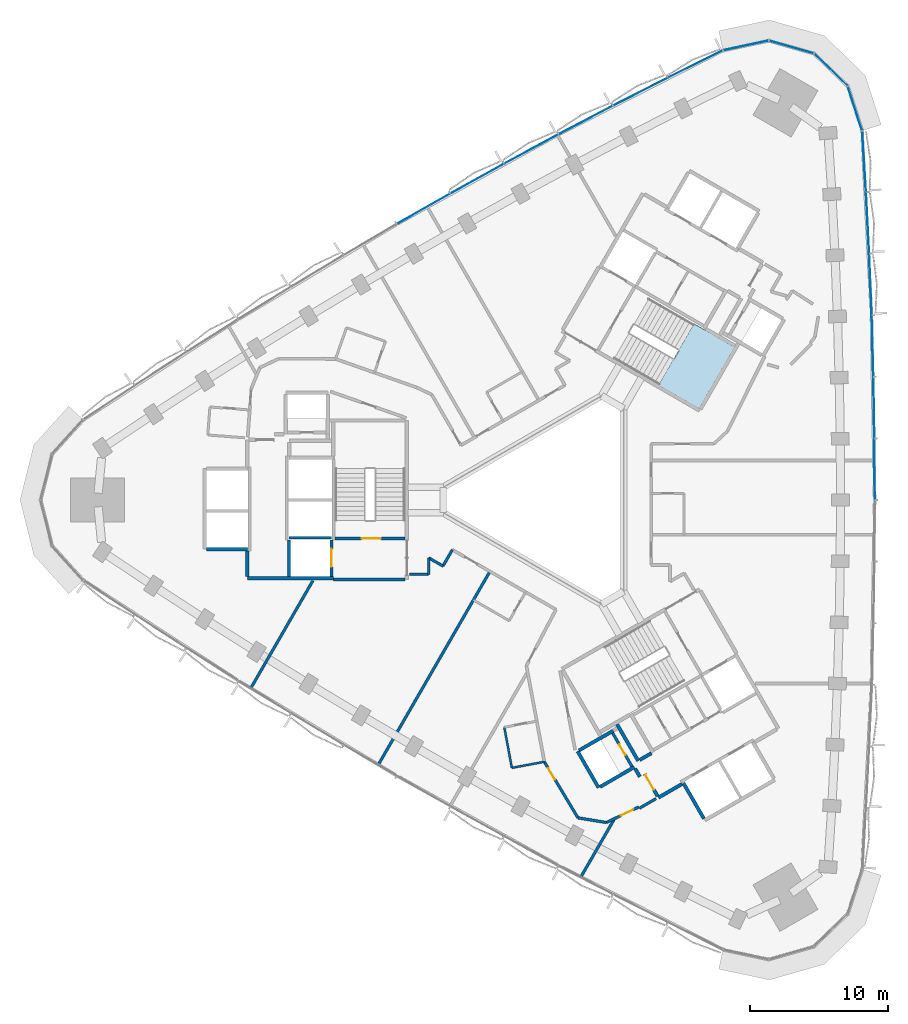
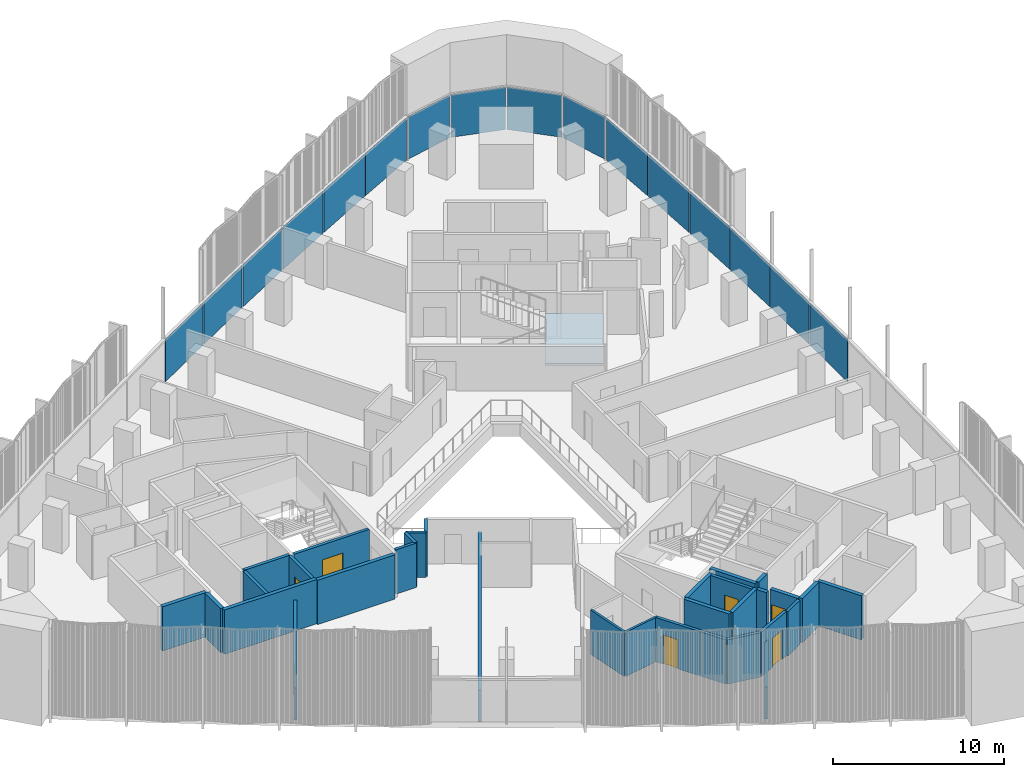
# One storey, part 7 of 15: 31 walls, 16 plates, 6 doors, 1 slab, 6 openings, 3 elements without a shape of their own.
"""IFC4 building model written with IfcOpenShell, lengths in metres."""

from ifc_helpers import new_model, si_unit, direction, frame, frame_2d, origin, origin_2d, place, context, subcontext, project, spatial, polyline, rectangle, outline, extrude, material, layer, layer_set, type_object, element, fill, aggregate, save


model = new_model("IFC4")

# Units and contexts
model_context = context("Model", 3, precision=1e-05, world=origin(), true_north=direction((0.0, 1.0)))
body_context = subcontext(model_context, "Body", "Model", "MODEL_VIEW")
ifc_project = project(units=[si_unit("LENGTHUNIT", "METRE"), si_unit("AREAUNIT", "SQUARE_METRE"), si_unit("VOLUMEUNIT", "CUBIC_METRE"), si_unit("PLANEANGLEUNIT", "RADIAN"), si_unit("MASSUNIT", "GRAM", prefix="KILO")], contexts=[model_context])

# Site, building, storey
site_placement = place(None, origin())
site = spatial("IfcSite", under=ifc_project, at=site_placement, CompositionType="ELEMENT")
building_placement = place(site_placement, origin())
building = spatial("IfcBuilding", under=site, at=building_placement, Name="Tamra Quay Hotel Tower", CompositionType="ELEMENT")
storey_placement = place(building_placement, frame((0.0, 0.0, 90.199951171875)))
storey = spatial("IfcBuildingStorey", under=building, at=storey_placement, Name="L21", CompositionType="ELEMENT", Elevation=90.199951171875)

# Stair, slab
ifc_material_1 = material(Name="Exit stair 2200 24 risers 150.0 going 342")
stair_type = type_object("IfcStairType", Name="Exit stair 2200 24 risers 150.0 going 342", PredefinedType="HALF_TURN_STAIR", material=ifc_material_1)
stair_placement = place(storey_placement, origin())
stair = element("IfcStair", 1, at=stair_placement, inside=storey, type_object=stair_type, Name="L21 Exit stair ST1", PredefinedType="HALF_TURN_STAIR")
ifc_material_2 = material(Name="Concrete M70", Category="concrete")
ifc_layer_1 = layer(ifc_material_2, 0.175048828125)
ifc_layer_set_1 = layer_set([ifc_layer_1], Name="Concrete M70 stair landing 180")
slab_type = type_object("IfcSlabType", Name="Concrete M70 stair landing 180", PredefinedType="LANDING", material=ifc_layer_set_1)
slab_placement = place(storey_placement, frame((0.0, 0.0, 1.625)))
slab = element("IfcSlab", 2, at=slab_placement, type_object=slab_type, Name="ST1 landing 1", PredefinedType="LANDING", context=body_context, shape_type="SweptSolid", body=[
    extrude(outline(polyline([(7.425048828125, 8.336669921875), (10.385009765625, 6.627685546875), (12.964599609375, 11.095458984375), (10.00439453125, 12.804443359375), (7.425048828125, 8.336669921875)])), origin(), (0.0, 0.0, 1.0), 0.175048828125),
])
aggregate(stair, [slab])

# Curtain wall, plates
ifc_material_3 = material(Name="Aluminium 6063 anodised dark grey", Category="aluminium")
curtain_wall_type_1 = type_object("IfcCurtainWallType", Name="CW1 CURTAIN WALL", PredefinedType="NOTDEFINED", material=ifc_material_3)
curtain_wall_1_placement = place(storey_placement, origin())
curtain_wall_1 = element("IfcCurtainWall", 3, at=curtain_wall_1_placement, inside=storey, type_object=curtain_wall_type_1, Name="CW1 east face L21", PredefinedType="NOTDEFINED")
ifc_material_4 = material(Name="Glass clear laminated low-iron", Category="glass")
ifc_layer_2 = layer(ifc_material_4, 0.033935546875)
ifc_layer_set_2 = layer_set([ifc_layer_2], Name="GLASS PANEL CW1 Z2")
plate_type_1 = type_object("IfcPlateType", Name="GLASS PANEL CW1 Z2", PredefinedType="CURTAIN_PANEL", material=ifc_layer_set_2)
plate_1_placement = place(storey_placement, frame((23.132080078125, 2.236572265625, 0.0), z_axis=(0.0, 0.0, 1.0), x_axis=(-0.00571269185, 0.999983682443, 0.0)))
plate_1 = element("IfcPlate", 4, at=plate_1_placement, type_object=plate_type_1, Name="CW1 glass L21.E.7", PredefinedType="CURTAIN_PANEL", context=body_context, shape_type="SweptSolid", body=[
    extrude(rectangle(XDim=4.373291015625, YDim=0.033935546875, at=origin_2d()), origin(), (0.0, 0.0, 1.0), 3.034912109375),
])
plate_2_placement = place(storey_placement, frame((23.080810546875, 6.70947265625, 0.0), z_axis=(0.0, 0.0, 1.0), x_axis=(-0.017133948461, 0.99985320313, 0.0)))
plate_2 = element("IfcPlate", 5, at=plate_2_placement, type_object=plate_type_1, Name="CW1 glass L21.E.8", PredefinedType="CURTAIN_PANEL", context=body_context, shape_type="SweptSolid", body=[
    extrude(rectangle(XDim=4.373291015625, YDim=0.033935546875, at=origin_2d()), origin(), (0.0, 0.0, 1.0), 3.034912109375),
])
plate_3_placement = place(storey_placement, frame((22.978759765625, 11.181396484375, 0.0), z_axis=(0.0, 0.0, 1.0), x_axis=(-0.028546324212, 0.999592470647, 0.0)))
plate_3 = element("IfcPlate", 6, at=plate_3_placement, type_object=plate_type_1, Name="CW1 glass L21.E.9", PredefinedType="CURTAIN_PANEL", context=body_context, shape_type="SweptSolid", body=[
    extrude(rectangle(XDim=4.373291015625, YDim=0.033935546875, at=origin_2d()), origin(), (0.0, 0.0, 1.0), 3.034912109375),
])
plate_4_placement = place(storey_placement, frame((22.825439453125, 15.652099609375, 0.0), z_axis=(0.0, 0.0, 1.0), x_axis=(-0.039943885581, 0.99920192454, 0.0)))
plate_4 = element("IfcPlate", 7, at=plate_4_placement, type_object=plate_type_1, Name="CW1 glass L21.E.10", PredefinedType="CURTAIN_PANEL", context=body_context, shape_type="SweptSolid", body=[
    extrude(rectangle(XDim=4.373291015625, YDim=0.033935546875, at=origin_2d()), origin(), (0.0, 0.0, 1.0), 3.034912109375),
])
plate_5_placement = place(storey_placement, frame((22.621337890625, 20.12060546875, 0.0), z_axis=(0.0, 0.0, 1.0), x_axis=(-0.051320736558, 0.998682222731, 0.0)))
plate_5 = element("IfcPlate", 8, at=plate_5_placement, type_object=plate_type_1, Name="CW1 glass L21.E.11", PredefinedType="CURTAIN_PANEL", context=body_context, shape_type="SweptSolid", body=[
    extrude(rectangle(XDim=4.373291015625, YDim=0.033935546875, at=origin_2d()), origin(), (0.0, 0.0, 1.0), 3.034912109375),
])
plate_6_placement = place(storey_placement, frame((22.366455078125, 24.5859375, 0.0), z_axis=(0.0, 0.0, 1.0), x_axis=(-0.062669917068, 0.998034308776, 0.0)))
plate_6 = element("IfcPlate", 9, at=plate_6_placement, type_object=plate_type_1, Name="CW1 glass L21.E.12", PredefinedType="CURTAIN_PANEL", context=body_context, shape_type="SweptSolid", body=[
    extrude(rectangle(XDim=4.372314453125, YDim=0.033935546875, at=origin_2d()), origin(), (0.0, 0.0, 1.0), 3.034912109375),
])
plate_7_placement = place(storey_placement, frame((21.70166015625, 28.43994140625, 0.0), z_axis=(0.0, 0.0, 1.0), x_axis=(-0.307790863622, 0.951454036867, 0.0)))
plate_7 = element("IfcPlate", 10, at=plate_7_placement, type_object=plate_type_1, Name="CW1 glass L21.E.13", PredefinedType="CURTAIN_PANEL", context=body_context, shape_type="SweptSolid", body=[
    extrude(rectangle(XDim=3.31005859375, YDim=0.033935546875, at=origin_2d()), origin(), (0.0, 0.0, 1.0), 3.034912109375),
])
plate_8_placement = place(storey_placement, frame((19.95068359375, 31.247314453125, 0.0), z_axis=(0.0, 0.0, 1.0), x_axis=(-0.71904127153, 0.694967373217, 0.0)))
plate_8 = element("IfcPlate", 11, at=plate_8_placement, type_object=plate_type_1, Name="CW1 glass L21.E.14", PredefinedType="CURTAIN_PANEL", context=body_context, shape_type="SweptSolid", body=[
    extrude(rectangle(XDim=3.31005859375, YDim=0.033935546875, at=origin_2d()), origin(), (0.0, 0.0, 1.0), 3.034912109375),
])
plate_9_placement = place(storey_placement, frame((17.08544921875, 32.9013671875, 0.0), z_axis=(0.0, 0.0, 1.0), x_axis=(-0.961380035772, 0.275224320906, 0.0)))
plate_9 = element("IfcPlate", 12, at=plate_9_placement, type_object=plate_type_1, Name="CW1 glass L21.E.15", PredefinedType="CURTAIN_PANEL", context=body_context, shape_type="SweptSolid", body=[
    extrude(rectangle(XDim=3.31005859375, YDim=0.033935546875, at=origin_2d()), origin(), (0.0, 0.0, 1.0), 3.034912109375),
])
plate_10_placement = place(storey_placement, frame((13.779052734375, 33.01416015625, 0.0), z_axis=(0.0, 0.0, 1.0), x_axis=(-0.977878798271, -0.209172311484, 0.0)))
plate_10 = element("IfcPlate", 13, at=plate_10_placement, type_object=plate_type_1, Name="CW1 glass L21.E.16", PredefinedType="CURTAIN_PANEL", context=body_context, shape_type="SweptSolid", body=[
    extrude(rectangle(XDim=3.31005859375, YDim=0.033935546875, at=origin_2d()), origin(), (0.0, 0.0, 1.0), 3.034912109375),
])
aggregate(curtain_wall_1, [plate_1, plate_2, plate_3, plate_4, plate_5, plate_6, plate_7, plate_8, plate_9, plate_10])

curtain_wall_type_2 = type_object("IfcCurtainWallType", Name="CW2 CURTAIN WALL", PredefinedType="NOTDEFINED", material=ifc_material_3)
curtain_wall_2_placement = place(storey_placement, origin())
curtain_wall_2 = element("IfcCurtainWall", 14, at=curtain_wall_2_placement, inside=storey, type_object=curtain_wall_type_2, Name="CW2 north-west face L21", PredefinedType="NOTDEFINED")
ifc_layer_3 = layer(ifc_material_4, 0.033935546875)
ifc_layer_set_3 = layer_set([ifc_layer_3], Name="GLASS PANEL CW2 Z2")
plate_type_2 = type_object("IfcPlateType", Name="GLASS PANEL CW2 Z2", PredefinedType="CURTAIN_PANEL", material=ifc_layer_set_3)
plate_11_placement = place(storey_placement, frame((10.10888671875, 31.662841796875, 0.0), z_axis=(0.0, 0.0, 1.0), x_axis=(-0.895658023783, -0.444743414154, 0.0)))
plate_11 = element("IfcPlate", 15, at=plate_11_placement, type_object=plate_type_2, Name="CW2 glass L21.NW.1", PredefinedType="CURTAIN_PANEL", context=body_context, shape_type="SweptSolid", body=[
    extrude(rectangle(XDim=4.372314453125, YDim=0.033935546875, at=origin_2d()), origin(), (0.0, 0.0, 1.0), 3.034912109375),
])
plate_12_placement = place(storey_placement, frame((6.1142578125, 29.65087890625, 0.0), z_axis=(0.0, 0.0, 1.0), x_axis=(-0.890544543472, -0.454896049765, 0.0)))
plate_12 = element("IfcPlate", 16, at=plate_12_placement, type_object=plate_type_2, Name="CW2 glass L21.NW.2", PredefinedType="CURTAIN_PANEL", context=body_context, shape_type="SweptSolid", body=[
    extrude(rectangle(XDim=4.373291015625, YDim=0.033935546875, at=origin_2d()), origin(), (0.0, 0.0, 1.0), 3.034912109375),
])
plate_13_placement = place(storey_placement, frame((2.142333984375, 27.593505859375, 0.0), z_axis=(0.0, 0.0, 1.0), x_axis=(-0.885306192952, -0.465008542631, 0.0)))
plate_13 = element("IfcPlate", 17, at=plate_13_placement, type_object=plate_type_2, Name="CW2 glass L21.NW.3", PredefinedType="CURTAIN_PANEL", context=body_context, shape_type="SweptSolid", body=[
    extrude(rectangle(XDim=4.373291015625, YDim=0.033935546875, at=origin_2d()), origin(), (0.0, 0.0, 1.0), 3.034912109375),
])
plate_14_placement = place(storey_placement, frame((-1.805908203125, 25.490966796875, 0.0), z_axis=(0.0, 0.0, 1.0), x_axis=(-0.879945635118, -0.475074393371, 0.0)))
plate_14 = element("IfcPlate", 18, at=plate_14_placement, type_object=plate_type_2, Name="CW2 glass L21.NW.4", PredefinedType="CURTAIN_PANEL", context=body_context, shape_type="SweptSolid", body=[
    extrude(rectangle(XDim=4.373291015625, YDim=0.033935546875, at=origin_2d()), origin(), (0.0, 0.0, 1.0), 3.034912109375),
])
plate_15_placement = place(storey_placement, frame((-5.729736328125, 23.34326171875, 0.0), z_axis=(0.0, 0.0, 1.0), x_axis=(-0.874465248197, -0.485088166931, 0.0)))
plate_15 = element("IfcPlate", 19, at=plate_15_placement, type_object=plate_type_2, Name="CW2 glass L21.NW.5", PredefinedType="CURTAIN_PANEL", context=body_context, shape_type="SweptSolid", body=[
    extrude(rectangle(XDim=4.373291015625, YDim=0.033935546875, at=origin_2d()), origin(), (0.0, 0.0, 1.0), 3.034912109375),
])
plate_16_placement = place(storey_placement, frame((-9.629150390625, 21.151123046875, 0.0), z_axis=(0.0, 0.0, 1.0), x_axis=(-0.86886761829, -0.495044504955, 0.0)))
plate_16 = element("IfcPlate", 20, at=plate_16_placement, type_object=plate_type_2, Name="CW2 glass L21.NW.6", PredefinedType="CURTAIN_PANEL", context=body_context, shape_type="SweptSolid", body=[
    extrude(rectangle(XDim=4.373291015625, YDim=0.033935546875, at=origin_2d()), origin(), (0.0, 0.0, 1.0), 3.034912109375),
])
aggregate(curtain_wall_2, [plate_11, plate_12, plate_13, plate_14, plate_15, plate_16])

# Wall, opening, door
ifc_layer_4 = layer(ifc_material_2, 0.199951171875)
ifc_layer_set_4 = layer_set([ifc_layer_4], Name="Concrete M70 core wall 200")
wall_type_1 = type_object("IfcWallType", Name="Concrete M70 core wall 200", PredefinedType="SHEAR", material=ifc_layer_set_4)
wall_1_placement = place(storey_placement, frame((-10.96337890625, -2.800048828125, 0.0), z_axis=(0.0, 0.0, 1.0), x_axis=(-1.0, 0.0, 0.0)))
wall_1 = element("IfcWall", 21, at=wall_1_placement, inside=storey, type_object=wall_type_1, Name="CW2", PredefinedType="SHEAR", context=body_context, shape_type="SweptSolid", body=[
    extrude(rectangle(XDim=5.097900390625, YDim=0.199951171875, at=frame_2d((2.548828125, 0.0))), origin(), (0.0, 0.0, 1.0), 3.175048828125),
])
opening_1_placement = place(wall_1_placement, frame((1.77392578125, 0.0, 0.0)))
opening_1 = element("IfcOpeningElement", 22, at=opening_1_placement, cuts=wall_1, Name="Opening FD2", PredefinedType="OPENING", context=body_context, shape_type="SweptSolid", body=[
    extrude(rectangle(XDim=1.39990234375, YDim=2.10009765625, at=frame_2d((0.699951171875, 1.050048828125))), frame((0.0, 0.10986328125, 0.0), z_axis=(0.0, -1.0, 0.0), x_axis=(1.0, 0.0, 0.0)), (0.0, 0.0, 1.0), 0.219970703125),
])
ifc_material_5 = material(Name="Core door FD2 1400x2100 RH")
door_type_1 = type_object("IfcDoorType", Name="Core door FD2 1400x2100 RH", OperationType="NOTDEFINED", PredefinedType="DOOR", material=ifc_material_5)
door_1_placement = place(opening_1_placement, origin())
door_1 = element("IfcDoor", 23, at=door_1_placement, inside=storey, type_object=door_type_1, Name="FD2", OperationType="SINGLE_SWING_RIGHT", OverallHeight=2.10009765625, OverallWidth=1.39990234375, PredefinedType="DOOR", context=body_context, shape_type="SweptSolid", body=[
    extrude(rectangle(XDim=1.39990234375, YDim=2.10009765625, at=frame_2d((0.699951171875, 1.050048828125))), frame((0.0, 0.02490234375, 0.0), z_axis=(0.0, -1.0, 0.0), x_axis=(1.0, 0.0, 0.0)), (0.0, 0.0, 1.0), 0.050048828125),
])
fill(opening_1, door_1)

# Wall
wall_2_placement = place(storey_placement, frame((-19.412353515625, -2.75, 0.0), z_axis=(0.0, 0.0, 1.0), x_axis=(1.0, 0.0, 0.0)))
element("IfcWall", 24, at=wall_2_placement, inside=storey, type_object=wall_type_1, Name="CW2", PredefinedType="SHEAR", context=body_context, shape_type="SweptSolid", body=[
    extrude(rectangle(XDim=3.10009765625, YDim=0.199951171875, at=frame_2d((1.550048828125, 0.0))), origin(), (0.0, 0.0, 1.0), 3.175048828125),
])

# Wall, opening, door
wall_3_placement = place(storey_placement, frame((-16.312255859375, -2.898193359375, 0.0), z_axis=(0.0, 0.0, 1.0), x_axis=(0.0, -1.0, 0.0)))
wall_3 = element("IfcWall", 25, at=wall_3_placement, inside=storey, type_object=wall_type_1, Name="CW2", PredefinedType="SHEAR", context=body_context, shape_type="SweptSolid", body=[
    extrude(rectangle(XDim=2.65087890625, YDim=0.199951171875, at=frame_2d((1.325439453125, 0.0))), origin(), (0.0, 0.0, 1.0), 3.175048828125),
])
opening_2_placement = place(wall_3_placement, frame((0.65185546875, 0.0, 0.0)))
opening_2 = element("IfcOpeningElement", 26, at=opening_2_placement, cuts=wall_3, Name="Opening LD", PredefinedType="OPENING", context=body_context, shape_type="SweptSolid", body=[
    extrude(rectangle(XDim=1.300048828125, YDim=2.10009765625, at=frame_2d((0.64990234375, 1.050048828125))), frame((0.0, 0.10986328125, 0.0), z_axis=(0.0, -1.0, 0.0), x_axis=(1.0, 0.0, 0.0)), (0.0, 0.0, 1.0), 0.219970703125),
])
ifc_material_6 = material(Name="Landing door LD 1300 sliding to right")
door_type_2 = type_object("IfcDoorType", Name="Landing door LD 1300 sliding to right", OperationType="NOTDEFINED", PredefinedType="DOOR", material=ifc_material_6)
door_2_placement = place(opening_2_placement, origin())
door_2 = element("IfcDoor", 27, at=door_2_placement, inside=storey, type_object=door_type_2, Name="LD", OperationType="SLIDING_TO_RIGHT", OverallHeight=2.10009765625, OverallWidth=1.300048828125, PredefinedType="DOOR", context=body_context, shape_type="SweptSolid", body=[
    extrude(rectangle(XDim=1.300048828125, YDim=2.10009765625, at=frame_2d((0.64990234375, 1.050048828125))), frame((0.0, 0.02490234375, 0.0), z_axis=(0.0, -1.0, 0.0), x_axis=(1.0, 0.0, 0.0)), (0.0, 0.0, 1.0), 0.050048828125),
])
fill(opening_2, door_2)

# Wall
wall_4_placement = place(storey_placement, frame((-19.412353515625, -5.549072265625, 0.0), z_axis=(0.0, 0.0, 1.0), x_axis=(0.0, 1.0, 0.0)))
element("IfcWall", 28, at=wall_4_placement, inside=storey, type_object=wall_type_1, Name="CW2", PredefinedType="SHEAR", context=body_context, shape_type="SweptSolid", body=[
    extrude(rectangle(XDim=2.65087890625, YDim=0.199951171875, at=frame_2d((1.325439453125, 0.0))), origin(), (0.0, 0.0, 1.0), 3.175048828125),
])

# Wall, opening, door
wall_5_placement = place(storey_placement, frame((5.50341796875, -19.352294921875, 0.0), z_axis=(0.0, 0.0, 1.0), x_axis=(-0.499986818241, 0.866033014143, 0.0)))
wall_5 = element("IfcWall", 29, at=wall_5_placement, inside=storey, type_object=wall_type_1, Name="CW2", PredefinedType="SHEAR", context=body_context, shape_type="SweptSolid", body=[
    extrude(rectangle(XDim=2.7978515625, YDim=0.199951171875, at=frame_2d((1.39892578125, 0.0))), origin(), (0.0, 0.0, 1.0), 3.175048828125),
])
opening_3_placement = place(wall_5_placement, frame((0.948974609375, 0.0, 0.0)))
opening_3 = element("IfcOpeningElement", 30, at=opening_3_placement, cuts=wall_5, Name="Opening D1", PredefinedType="OPENING", context=body_context, shape_type="SweptSolid", body=[
    extrude(rectangle(XDim=0.89990234375, YDim=2.10009765625, at=frame_2d((0.449951171875, 1.050048828125))), frame((0.0, 0.10986328125, 0.0), z_axis=(0.0, -1.0, 0.0), x_axis=(1.0, 0.0, 0.0)), (0.0, 0.0, 1.0), 0.219970703125),
])
ifc_material_7 = material(Name="Core door D1 900x2100 RH")
door_type_3 = type_object("IfcDoorType", Name="Core door D1 900x2100 RH", OperationType="NOTDEFINED", PredefinedType="DOOR", material=ifc_material_7)
door_3_placement = place(opening_3_placement, origin())
door_3 = element("IfcDoor", 31, at=door_3_placement, inside=storey, type_object=door_type_3, Name="D1", OperationType="SINGLE_SWING_RIGHT", OverallHeight=2.10009765625, OverallWidth=0.89990234375, PredefinedType="DOOR", context=body_context, shape_type="SweptSolid", body=[
    extrude(rectangle(XDim=0.89990234375, YDim=2.10009765625, at=frame_2d((0.449951171875, 1.050048828125))), frame((0.0, 0.02490234375, 0.0), z_axis=(0.0, -1.0, 0.0), x_axis=(1.0, 0.0, 0.0)), (0.0, 0.0, 1.0), 0.050048828125),
])
fill(opening_3, door_3)

# Walls
ifc_layer_5 = layer(ifc_material_2, 0.25)
ifc_layer_set_5 = layer_set([ifc_layer_5], Name="Concrete M70 core wall 250")
wall_type_2 = type_object("IfcWallType", Name="Concrete M70 core wall 250", PredefinedType="SHEAR", material=ifc_layer_set_5)
wall_6_placement = place(storey_placement, frame((-16.187255859375, -5.675048828125, 0.0), z_axis=(0.0, 0.0, 1.0), x_axis=(-1.0, 0.0, 0.0)))
element("IfcWall", 32, at=wall_6_placement, inside=storey, type_object=wall_type_2, Name="CW1", PredefinedType="SHEAR", context=body_context, shape_type="SweptSolid", body=[
    extrude(rectangle(XDim=6.25, YDim=0.25, at=frame_2d((3.125, 0.0))), origin(), (0.0, 0.0, 1.0), 3.175048828125),
])
wall_7_placement = place(storey_placement, frame((-10.962646484375, -5.77490234375, 0.0), z_axis=(0.0, 0.0, 1.0), x_axis=(-1.0, 0.0, 0.0)))
element("IfcWall", 33, at=wall_7_placement, inside=storey, type_object=wall_type_2, Name="CW1", PredefinedType="SHEAR", context=body_context, shape_type="SweptSolid", body=[
    extrude(rectangle(XDim=5.224609375, YDim=0.25, at=frame_2d((2.6123046875, 0.0))), origin(), (0.0, 0.0, 1.0), 3.175048828125),
])
wall_8_placement = place(storey_placement, frame((-22.437255859375, -3.574951171875, 0.0), z_axis=(0.0, 0.0, 1.0), x_axis=(-1.0, 0.0, 0.0)))
element("IfcWall", 34, at=wall_8_placement, inside=storey, type_object=wall_type_2, Name="CW1", PredefinedType="SHEAR", context=body_context, shape_type="SweptSolid", body=[
    extrude(rectangle(XDim=2.974609375, YDim=0.25, at=frame_2d((1.4873046875, 0.0))), origin(), (0.0, 0.0, 1.0), 3.175048828125),
])
wall_9_placement = place(storey_placement, frame((-22.437255859375, -5.549560546875, 0.0), z_axis=(0.0, 0.0, 1.0), x_axis=(0.0, 1.0, 0.0)))
element("IfcWall", 35, at=wall_9_placement, inside=storey, type_object=wall_type_2, Name="CW1", PredefinedType="SHEAR", context=body_context, shape_type="SweptSolid", body=[
    extrude(rectangle(XDim=1.84912109375, YDim=0.25, at=frame_2d((0.924560546875, 0.0))), origin(), (0.0, 0.0, 1.0), 3.175048828125),
])
wall_10_placement = place(storey_placement, frame((10.73583984375, -23.144775390625, 0.0), z_axis=(0.0, 0.0, 1.0), x_axis=(-0.500023226632, 0.866011993467, 0.0)))
element("IfcWall", 36, at=wall_10_placement, inside=storey, type_object=wall_type_2, Name="CW1", PredefinedType="SHEAR", context=body_context, shape_type="SweptSolid", body=[
    extrude(rectangle(XDim=2.974365234375, YDim=0.25, at=frame_2d((1.4873046875, 0.0))), origin(), (0.0, 0.0, 1.0), 3.175048828125),
])
wall_11_placement = place(storey_placement, frame((3.085205078125, -20.893798828125, 0.0), z_axis=(0.0, 0.0, 1.0), x_axis=(-0.499978833458, 0.866037623948, 0.0)))
element("IfcWall", 37, at=wall_11_placement, inside=storey, type_object=wall_type_2, Name="CW1", PredefinedType="SHEAR", context=body_context, shape_type="SweptSolid", body=[
    extrude(rectangle(XDim=3.050048828125, YDim=0.25, at=frame_2d((1.52490234375, 0.0))), origin(), (0.0, 0.0, 1.0), 3.175048828125),
])
wall_12_placement = place(storey_placement, frame((1.6689453125, -18.189697265625, 0.0), z_axis=(0.0, 0.0, 1.0), x_axis=(0.866042235819, 0.499970844928, 0.0)))
element("IfcWall", 38, at=wall_12_placement, inside=storey, type_object=wall_type_2, Name="CW1", PredefinedType="SHEAR", context=body_context, shape_type="SweptSolid", body=[
    extrude(rectangle(XDim=2.864501953125, YDim=0.25, at=frame_2d((1.43212890625, 0.0))), origin(), (0.0, 0.0, 1.0), 3.175048828125),
])
wall_13_placement = place(storey_placement, frame((5.6748046875, -19.39892578125, 0.0), z_axis=(0.0, 0.0, 1.0), x_axis=(-0.866026637627, -0.499997862916, 0.0)))
element("IfcWall", 39, at=wall_13_placement, inside=storey, type_object=wall_type_2, Name="CW1", PredefinedType="SHEAR", context=body_context, shape_type="SweptSolid", body=[
    extrude(rectangle(XDim=2.86474609375, YDim=0.25, at=frame_2d((1.432373046875, 0.0))), origin(), (0.0, 0.0, 1.0), 3.175048828125),
])
wall_14_placement = place(storey_placement, frame((4.414306640625, -16.275634765625, 0.0), z_axis=(0.0, 0.0, 1.0), x_axis=(0.500003324108, -0.866023484601, 0.0)))
element("IfcWall", 40, at=wall_14_placement, inside=storey, type_object=wall_type_2, Name="CW1", PredefinedType="SHEAR", context=body_context, shape_type="SweptSolid", body=[
    extrude(rectangle(XDim=3.0849609375, YDim=0.25, at=frame_2d((1.54248046875, 0.0))), origin(), (0.0, 0.0, 1.0), 3.175048828125),
])
wall_15_placement = place(storey_placement, frame((9.139892578125, -20.63134765625, 0.0), z_axis=(0.0, 0.0, 1.0), x_axis=(-0.866043531843, -0.499968599967, 0.0)))
element("IfcWall", 41, at=wall_15_placement, inside=storey, type_object=wall_type_2, Name="CW1", PredefinedType="SHEAR", context=body_context, shape_type="SweptSolid", body=[
    extrude(rectangle(XDim=1.974853515625, YDim=0.25, at=frame_2d((0.9873046875, 0.0))), origin(), (0.0, 0.0, 1.0), 3.175048828125),
])

# Wall, opening, door
wall_16_placement = place(storey_placement, frame((7.3671875, -21.51025390625, 0.0), z_axis=(0.0, 0.0, 1.0), x_axis=(-0.499983108224, 0.866035156036, 0.0)))
wall_16 = element("IfcWall", 42, at=wall_16_placement, inside=storey, type_object=wall_type_2, Name="CW1", PredefinedType="SHEAR", context=body_context, shape_type="SweptSolid", body=[
    extrude(rectangle(XDim=1.86474609375, YDim=0.25, at=frame_2d((0.932373046875, 0.0))), origin(), (0.0, 0.0, 1.0), 3.175048828125),
])
opening_4_placement = place(wall_16_placement, frame((0.53466796875, 0.0, 0.0)))
opening_4 = element("IfcOpeningElement", 43, at=opening_4_placement, cuts=wall_16, Name="Opening FD3", PredefinedType="OPENING", context=body_context, shape_type="SweptSolid", body=[
    extrude(rectangle(XDim=1.25, YDim=2.10009765625, at=frame_2d((0.625, 1.050048828125))), frame((0.0, 0.135009765625, 0.0), z_axis=(0.0, -1.0, 0.0), x_axis=(1.0, 0.0, 0.0)), (0.0, 0.0, 1.0), 0.27001953125),
])
ifc_material_8 = material(Name="Core door FD3 1250x2100 LH")
door_type_4 = type_object("IfcDoorType", Name="Core door FD3 1250x2100 LH", OperationType="NOTDEFINED", PredefinedType="DOOR", material=ifc_material_8)
door_4_placement = place(opening_4_placement, origin())
door_4 = element("IfcDoor", 44, at=door_4_placement, inside=storey, type_object=door_type_4, Name="FD3", OperationType="SINGLE_SWING_LEFT", OverallHeight=2.10009765625, OverallWidth=1.25, PredefinedType="DOOR", context=body_context, shape_type="SweptSolid", body=[
    extrude(rectangle(XDim=1.25, YDim=2.10009765625, at=frame_2d((0.625, 1.050048828125))), frame((0.0, 0.02490234375, 0.0), z_axis=(0.0, -1.0, 0.0), x_axis=(1.0, 0.0, 0.0)), (0.0, 0.0, 1.0), 0.050048828125),
])
fill(opening_4, door_4)

# Walls
wall_17_placement = place(storey_placement, frame((6.0654296875, -18.884765625, 0.0), z_axis=(0.0, 0.0, 1.0), x_axis=(0.866017078145, 0.500014420154, 0.0)))
element("IfcWall", 45, at=wall_17_placement, inside=storey, type_object=wall_type_2, Name="CW1", PredefinedType="SHEAR", context=body_context, shape_type="SweptSolid", body=[
    extrude(rectangle(XDim=0.9892578125, YDim=0.25, at=frame_2d((0.49462890625, 0.0))), origin(), (0.0, 0.0, 1.0), 3.175048828125),
])
wall_18_placement = place(storey_placement, frame((6.07958984375, -20.100341796875, 0.0), z_axis=(0.0, 0.0, 1.0), x_axis=(-0.500051773299, 0.865995510393, 0.0)))
element("IfcWall", 46, at=wall_18_placement, inside=storey, type_object=wall_type_2, Name="CW1", PredefinedType="SHEAR", context=body_context, shape_type="SweptSolid", body=[
    extrude(rectangle(XDim=0.6845703125, YDim=0.25, at=frame_2d((0.34228515625, 0.0))), origin(), (0.0, 0.0, 1.0), 3.175048828125),
])
ifc_material_9 = material(Name="Partition corridor wall")
ifc_layer_6 = layer(ifc_material_9, 0.199951171875)
ifc_layer_set_6 = layer_set([ifc_layer_6], Name="Partition corridor wall")
wall_type_3 = type_object("IfcWallType", Name="Partition corridor wall", PredefinedType="PARTITIONING", material=ifc_layer_set_6)
wall_19_placement = place(storey_placement, frame((-10.65234375, -5.39990234375, 0.0), z_axis=(0.0, 0.0, 1.0), x_axis=(1.0, 0.0, 0.0)))
element("IfcWall", 47, at=wall_19_placement, inside=storey, type_object=wall_type_3, Name="W-C", PredefinedType="PARTITIONING", context=body_context, shape_type="SweptSolid", body=[
    extrude(rectangle(XDim=1.390380859375, YDim=0.199951171875, at=frame_2d((0.6953125, 0.0))), origin(), (0.0, 0.0, 1.0), 3.175048828125),
])
for number, where, z_axis, x_axis, name in (
    (48, (-9.261962890625, -5.39990234375, 0.0), (0.0, 0.0, 1.0), (0.0, 1.0, 0.0), "W-C"),
    (49, (-9.261962890625, -4.199951171875, 0.0), (0.0, 0.0, 1.0), (0.865955154139, -0.50012165622, 0.0), "W-C"),
):
    element("IfcWall", number, at=place(storey_placement, frame(where, z_axis=z_axis, x_axis=x_axis)), inside=storey, type_object=wall_type_3, Name=name, PredefinedType="PARTITIONING", context=body_context, shape_type="SweptSolid", body=[
        extrude(rectangle(XDim=1.199951171875, YDim=0.199951171875, at=frame_2d((0.60009765625, 0.0))), origin(), (0.0, 0.0, 1.0), 3.175048828125),
    ])
wall_20_placement = place(storey_placement, frame((-8.222900390625, -4.800048828125, 0.0), z_axis=(0.0, 0.0, 1.0), x_axis=(0.499804837697, 0.866138051476, 0.0)))
element("IfcWall", 50, at=wall_20_placement, inside=storey, type_object=wall_type_3, Name="W-C", PredefinedType="PARTITIONING", context=body_context, shape_type="SweptSolid", body=[
    extrude(rectangle(XDim=1.3681640625, YDim=0.199951171875, at=frame_2d((0.68408203125, 0.0))), origin(), (0.0, 0.0, 1.0), 3.175048828125),
])

# Wall, opening, door
wall_21_placement = place(storey_placement, frame((-0.85791015625, -19.01708984375, 0.0), z_axis=(0.0, 0.0, 1.0), x_axis=(0.514586543775, -0.857438446167, 0.0)))
wall_21 = element("IfcWall", 51, at=wall_21_placement, inside=storey, type_object=wall_type_3, Name="W-C", PredefinedType="PARTITIONING", context=body_context, shape_type="SweptSolid", body=[
    extrude(rectangle(XDim=4.745361328125, YDim=0.199951171875, at=frame_2d((2.37255859375, 0.0))), origin(), (0.0, 0.0, 1.0), 3.175048828125),
])
opening_5_placement = place(wall_21_placement, frame((0.54541015625, 0.0, 0.0)))
opening_5 = element("IfcOpeningElement", 52, at=opening_5_placement, cuts=wall_21, Name="Opening L21-D017", PredefinedType="OPENING", context=body_context, shape_type="SweptSolid", body=[
    extrude(rectangle(XDim=0.949951171875, YDim=2.10009765625, at=frame_2d((0.47509765625, 1.050048828125))), frame((0.0, 0.10986328125, 0.0), z_axis=(0.0, -1.0, 0.0), x_axis=(1.0, 0.0, 0.0)), (0.0, 0.0, 1.0), 0.219970703125),
])
ifc_material_10 = material(Name="Door guest room 950x2100")
door_type_5 = type_object("IfcDoorType", Name="Door guest room 950x2100", OperationType="NOTDEFINED", PredefinedType="DOOR", material=ifc_material_10)
door_5_placement = place(opening_5_placement, frame((0.949951171875, 0.0, 0.0), z_axis=(0.0, 0.0, 1.0), x_axis=(-1.0, 0.0, 0.0)))
door_5 = element("IfcDoor", 53, at=door_5_placement, inside=storey, type_object=door_type_5, Name="L21-D017", OperationType="SINGLE_SWING_LEFT", OverallHeight=2.10009765625, OverallWidth=0.949951171875, PredefinedType="DOOR", context=body_context, shape_type="SweptSolid", body=[
    extrude(rectangle(XDim=0.949951171875, YDim=2.10009765625, at=frame_2d((0.47509765625, 1.050048828125))), frame((0.0, 0.02490234375, 0.0), z_axis=(0.0, -1.0, 0.0), x_axis=(1.0, 0.0, 0.0)), (0.0, 0.0, 1.0), 0.050048828125),
])
fill(opening_5, door_5)

# Wall
wall_22_placement = place(storey_placement, frame((1.583984375, -23.0859375, 0.0), z_axis=(0.0, 0.0, 1.0), x_axis=(0.986633159246, -0.162957077405, 0.0)))
element("IfcWall", 54, at=wall_22_placement, inside=storey, type_object=wall_type_3, Name="W-C", PredefinedType="PARTITIONING", context=body_context, shape_type="SweptSolid", body=[
    extrude(rectangle(XDim=2.0869140625, YDim=0.199951171875, at=frame_2d((1.04345703125, 0.0))), origin(), (0.0, 0.0, 1.0), 3.175048828125),
])

# Wall, opening, door
wall_23_placement = place(storey_placement, frame((3.64306640625, -23.426025390625, 0.0), z_axis=(0.0, 0.0, 1.0), x_axis=(0.902344142508, 0.431016297233, 0.0)))
wall_23 = element("IfcWall", 55, at=wall_23_placement, inside=storey, type_object=wall_type_3, Name="W-C", PredefinedType="PARTITIONING", context=body_context, shape_type="SweptSolid", body=[
    extrude(rectangle(XDim=2.616455078125, YDim=0.199951171875, at=frame_2d((1.30810546875, 0.0))), origin(), (0.0, 0.0, 1.0), 3.175048828125),
])
opening_6_placement = place(wall_23_placement, frame((1.1640625, 0.0, 0.0)))
opening_6 = element("IfcOpeningElement", 56, at=opening_6_placement, cuts=wall_23, Name="Opening L21-D019", PredefinedType="OPENING", context=body_context, shape_type="SweptSolid", body=[
    extrude(rectangle(XDim=1.0, YDim=2.10009765625, at=frame_2d((0.5, 1.050048828125))), frame((0.0, 0.10986328125, 0.0), z_axis=(0.0, -1.0, 0.0), x_axis=(1.0, 0.0, 0.0)), (0.0, 0.0, 1.0), 0.219970703125),
])
ifc_material_11 = material(Name="Door guest room 1000x2100")
door_type_6 = type_object("IfcDoorType", Name="Door guest room 1000x2100", OperationType="NOTDEFINED", PredefinedType="DOOR", material=ifc_material_11)
door_6_placement = place(opening_6_placement, frame((1.0, 0.0, 0.0), z_axis=(0.0, 0.0, 1.0), x_axis=(-1.0, 0.0, 0.0)))
door_6 = element("IfcDoor", 57, at=door_6_placement, inside=storey, type_object=door_type_6, Name="L21-D019", OperationType="SINGLE_SWING_LEFT", OverallHeight=2.10009765625, OverallWidth=1.0, PredefinedType="DOOR", context=body_context, shape_type="SweptSolid", body=[
    extrude(rectangle(XDim=1.0, YDim=2.10009765625, at=frame_2d((0.5, 1.050048828125))), frame((0.0, 0.02490234375, 0.0), z_axis=(0.0, -1.0, 0.0), x_axis=(1.0, 0.0, 0.0)), (0.0, 0.0, 1.0), 0.050048828125),
])
fill(opening_6, door_6)

# Walls
wall_24_placement = place(storey_placement, frame((6.053955078125, -22.385009765625, 0.0), z_axis=(0.0, 0.0, 1.0), x_axis=(0.86593101922, 0.500163443238, 0.0)))
element("IfcWall", 58, at=wall_24_placement, inside=storey, type_object=wall_type_3, Name="W-C", PredefinedType="PARTITIONING", context=body_context, shape_type="SweptSolid", body=[
    extrude(rectangle(XDim=1.3896484375, YDim=0.199951171875, at=frame_2d((0.69482421875, 0.0))), origin(), (0.0, 0.0, 1.0), 3.175048828125),
])
ifc_material_12 = material(Name="Partition en-suite wall")
ifc_layer_7 = layer(ifc_material_12, 0.14990234375)
ifc_layer_set_7 = layer_set([ifc_layer_7], Name="Partition en-suite wall")
wall_type_4 = type_object("IfcWallType", Name="Partition en-suite wall", PredefinedType="PARTITIONING", material=ifc_layer_set_7)
wall_25_placement = place(storey_placement, frame((-3.76806640625, -16.507080078125, 0.0), z_axis=(0.0, 0.0, 1.0), x_axis=(0.183674311555, -0.982987155193, 0.0)))
element("IfcWall", 59, at=wall_25_placement, inside=storey, type_object=wall_type_4, Name="W-E", PredefinedType="PARTITIONING", context=body_context, shape_type="SweptSolid", body=[
    extrude(rectangle(XDim=3.0, YDim=0.14990234375, at=frame_2d((1.5, 0.0))), origin(), (0.0, 0.0, 1.0), 3.175048828125),
])
wall_26_placement = place(storey_placement, frame((-3.217041015625, -19.4560546875, 0.0), z_axis=(0.0, 0.0, 1.0), x_axis=(0.982960745934, 0.183815592249, 0.0)))
element("IfcWall", 60, at=wall_26_placement, inside=storey, type_object=wall_type_4, Name="W-E", PredefinedType="PARTITIONING", context=body_context, shape_type="SweptSolid", body=[
    extrude(rectangle(XDim=2.400146484375, YDim=0.14990234375, at=frame_2d((1.2001953125, 0.0))), origin(), (0.0, 0.0, 1.0), 3.175048828125),
])
ifc_material_13 = material(Name="Partition party wall")
ifc_layer_8 = layer(ifc_material_13, 0.199951171875)
ifc_layer_set_8 = layer_set([ifc_layer_8], Name="Partition party wall")
wall_type_5 = type_object("IfcWallType", Name="Partition party wall", PredefinedType="PARTITIONING", material=ifc_layer_set_8)
wall_27_placement = place(storey_placement, frame((-22.18505859375, -13.679931640625, 0.0), z_axis=(0.0, 0.0, 1.0), x_axis=(0.499968990797, 0.866043306216, 0.0)))
element("IfcWall", 61, at=wall_27_placement, inside=storey, type_object=wall_type_5, Name="W-P", PredefinedType="PARTITIONING", context=body_context, shape_type="SweptSolid", body=[
    extrude(rectangle(XDim=9.029296875, YDim=0.199951171875, at=frame_2d((4.5146484375, 0.0))), origin(), (0.0, 0.0, 1.0), 2.275146484375),
])
wall_28_placement = place(storey_placement, frame((-12.927490234375, -19.245361328125, 0.0), z_axis=(0.0, 0.0, 1.0), x_axis=(0.500000657149, 0.866025024379, 0.0)))
element("IfcWall", 62, at=wall_28_placement, inside=storey, type_object=wall_type_5, Name="W-P", PredefinedType="PARTITIONING", context=body_context, shape_type="SweptSolid", body=[
    extrude(rectangle(XDim=16.23095703125, YDim=0.199951171875, at=frame_2d((8.115478515625, 0.0))), origin(), (0.0, 0.0, 1.0), 2.275146484375),
])
wall_29_placement = place(storey_placement, frame((1.784423828125, -27.39990234375, 0.0), z_axis=(0.0, 0.0, 1.0), x_axis=(0.499951124335, 0.866053620324, 0.0)))
element("IfcWall", 63, at=wall_29_placement, inside=storey, type_object=wall_type_5, Name="W-P", PredefinedType="PARTITIONING", context=body_context, shape_type="SweptSolid", body=[
    extrude(rectangle(XDim=5.021484375, YDim=0.199951171875, at=frame_2d((2.5107421875, 0.0))), origin(), (0.0, 0.0, 1.0), 2.275146484375),
])

save(model, "model.ifc")
